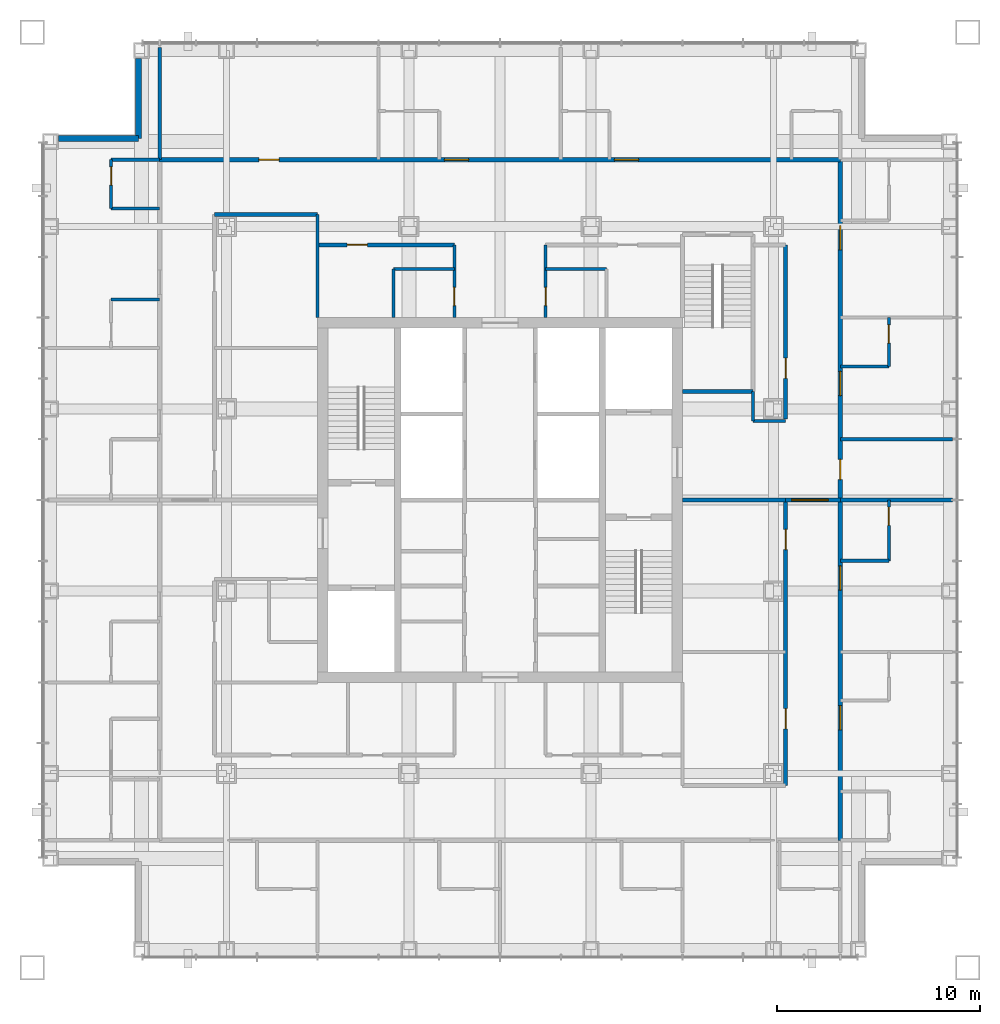
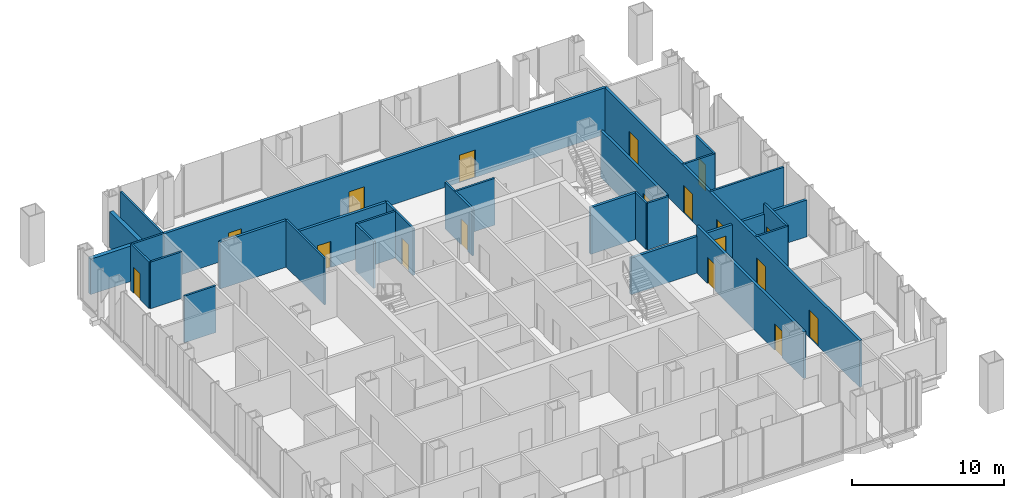
# One storey, part 10 of 12: 30 walls, 18 doors, 18 openings.
"""IFC4 building model written with IfcOpenShell, lengths in metres."""

import ifcopenshell
import ifcopenshell.guid

model = None  # the IFC model being written
_history = None  # IfcOwnerHistory: only IFC2X3 demands one
_inside = {}  # id of a spatial element -> (the spatial element, [elements in it])
_under = {}  # id of a project, library or spatial element -> (it, [spatial elements below it])
_declared = {}  # id of a project -> (the project, [libraries it declares])
_typed = {}  # id of a type object -> (the type object, [elements of that type])
_made_of = {}  # id of a material, layer set ... -> (it, [elements and type objects made of it])


def new_model(schema):
    """Start an empty IFC model of exactly this schema.

    Asked for "IFC4X3", IfcOpenShell would pick the latest addendum, in which some entities
    have other attributes; the version numbers below select the first issue.
    IFC2X3 requires an IfcOwnerHistory on every rooted entity: one is made here for all.
    """
    global model, _history
    if schema == "IFC4X3":
        model = ifcopenshell.file(schema_version=(4, 3, 0, 0))
    else:
        model = ifcopenshell.file(schema=schema)
    _inside.clear()
    _under.clear()
    _declared.clear()
    _typed.clear()
    _made_of.clear()
    _history = None
    if model.schema == "IFC2X3":
        org = make("IfcOrganization", Name="unknown")
        user = make(
            "IfcPersonAndOrganization",
            ThePerson=make("IfcPerson", FamilyName="unknown"),
            TheOrganization=org,
        )
        app = make(
            "IfcApplication",
            ApplicationDeveloper=org,
            Version="unknown",
            ApplicationFullName="unknown",
            ApplicationIdentifier="unknown",
        )
        _history = make(
            "IfcOwnerHistory",
            OwningUser=user,
            OwningApplication=app,
            ChangeAction="ADDED",
            CreationDate=0,
        )
    return model


def make(cls, **values):
    """One entity of the class cls with the attributes given. An attribute that is None is left unset."""
    return model.create_entity(
        cls, **{name: value for name, value in values.items() if value is not None}
    )


def rooted(cls, **values):
    """An entity with a GlobalId (a new one), such as an element, a storey or a relation."""
    return make(cls, GlobalId=ifcopenshell.guid.new(), OwnerHistory=_history, **values)


def si_unit(unit_type, name, prefix=None):
    """IfcSIUnit, for example si_unit("LENGTHUNIT", "METRE", prefix="MILLI")."""
    return make("IfcSIUnit", UnitType=unit_type, Prefix=prefix, Name=name)


def assignment(units):
    """IfcUnitAssignment: the units of a project."""
    return None if units is None else make("IfcUnitAssignment", Units=units)


def point(xyz):
    """IfcCartesianPoint."""
    return None if xyz is None else make("IfcCartesianPoint", Coordinates=xyz)


def direction(xyz):
    """IfcDirection."""
    return None if xyz is None else make("IfcDirection", DirectionRatios=xyz)


def frame(location, z_axis=None, x_axis=None):
    """IfcAxis2Placement3D, a coordinate frame: its origin and axes. An axis left out is left unset."""
    return make(
        "IfcAxis2Placement3D",
        Location=point(location),
        Axis=direction(z_axis),
        RefDirection=direction(x_axis),
    )


def frame_2d(location, x_axis=None):
    """IfcAxis2Placement2D, a coordinate frame in the plane: its origin and x axis."""
    return make(
        "IfcAxis2Placement2D", Location=point(location), RefDirection=direction(x_axis)
    )


def origin():
    """The frame at (0, 0, 0) with its axes left unset."""
    return frame((0.0, 0.0, 0.0))


def place(relative_to, where):
    """IfcLocalPlacement: puts the frame where relative to a parent placement (None: the world)."""
    return make(
        "IfcLocalPlacement", PlacementRelTo=relative_to, RelativePlacement=where
    )


def context(
    kind, dimensions, precision=None, world=None, true_north=None, identifier=None
):
    """IfcGeometricRepresentationContext, for example the 3D "Model" context."""
    return make(
        "IfcGeometricRepresentationContext",
        ContextIdentifier=identifier,
        ContextType=kind,
        CoordinateSpaceDimension=dimensions,
        Precision=precision,
        WorldCoordinateSystem=world,
        TrueNorth=true_north,
    )


def subcontext(parent, identifier, kind, view, scale=None):
    """IfcGeometricRepresentationSubContext, for example "Body" below "Model"."""
    return make(
        "IfcGeometricRepresentationSubContext",
        ContextIdentifier=identifier,
        ContextType=kind,
        ParentContext=parent,
        TargetScale=scale,
        TargetView=view,
    )


def project(units=None, contexts=None):
    """IfcProject with its units and contexts."""
    return rooted(
        "IfcProject",
        Name="project",
        RepresentationContexts=contexts,
        UnitsInContext=assignment(units),
    )


def spatial(cls, under=None, at=None, **own):
    """A site, building, storey or space (cls), placed at a placement, below another one or the project."""
    s = rooted(cls, ObjectPlacement=at, **own)
    if under is not None:
        _under.setdefault(under.id(), (under, []))[1].append(s)
    return s


def profile(cls, at=None, kind="AREA", **sizes):
    """A parametric profile (cls). Its sizes go by their IFC names, for example OverallWidth=200.0."""
    return make(cls, ProfileType=kind, Position=at, **sizes)


def rectangle(**sizes):
    """IfcRectangleProfileDef."""
    return profile("IfcRectangleProfileDef", **sizes)


def extrude(swept, where, along, depth):
    """IfcExtrudedAreaSolid: the profile swept, set in the frame where, extruded along a direction by depth."""
    return make(
        "IfcExtrudedAreaSolid",
        SweptArea=swept,
        Position=where,
        ExtrudedDirection=direction(along),
        Depth=depth,
    )


def shape(context_of_items, identifier, shape_type, items):
    """IfcShapeRepresentation: the items that make up one representation, for example the "Body"."""
    return make(
        "IfcShapeRepresentation",
        ContextOfItems=context_of_items,
        RepresentationIdentifier=identifier,
        RepresentationType=shape_type,
        Items=items,
    )


def material(Name=None, Category=None):
    """IfcMaterial."""
    return make("IfcMaterial", Name=Name, Category=Category)


def layer(
    of_material, thickness, ventilated=None, Name=None, Category=None, Priority=None
):
    """IfcMaterialLayer: one layer of a wall or slab, of a material (None: an air gap)."""
    return make(
        "IfcMaterialLayer",
        Material=of_material,
        LayerThickness=thickness,
        IsVentilated=ventilated,
        Name=Name,
        Category=Category,
        Priority=Priority,
    )


def layer_set(layers, Name=None):
    """IfcMaterialLayerSet."""
    return make("IfcMaterialLayerSet", MaterialLayers=layers, LayerSetName=Name)


def made_of(thing, what):
    """Note that an element or type object is made of a material, layer set ...; save() writes the relation."""
    if what is not None:
        _made_of.setdefault(what.id(), (what, []))[1].append(thing)
    return thing


def type_object(cls, material=None, **own):
    """A type object (cls), such as IfcWallType, which elements share."""
    return made_of(rooted(cls, **own), material)


def element(
    cls,
    number,
    at=None,
    inside=None,
    cuts=None,
    type_object=None,
    material=None,
    context=None,
    identifier="Body",
    shape_type=None,
    held_by="IfcProductDefinitionShape",
    body=None,
    shapes=None,
    **own,
):
    """One element of the class cls, such as IfcWall. Its Tag is "e" and its number.

    at: its placement. inside: the storey or other place that contains it. cuts: it is an
    opening in that element (IfcRelVoidsElement). A single representation is given by context,
    identifier, shape_type and body (its items); several are given by shapes. held_by: the class
    of the entity that holds the representations. save() writes the other relations.
    """
    e = rooted(cls, Tag="e%d" % number, ObjectPlacement=at, **own)
    if body is not None:
        shapes = [shape(context, identifier, shape_type, body)]
    if shapes is not None:
        e.Representation = make(held_by, Representations=shapes)
    if inside is not None:
        _inside.setdefault(inside.id(), (inside, []))[1].append(e)
    if cuts is not None:
        rooted(
            "IfcRelVoidsElement", RelatingBuildingElement=cuts, RelatedOpeningElement=e
        )
    if type_object is not None:
        _typed.setdefault(type_object.id(), (type_object, []))[1].append(e)
    return made_of(e, material)


def fill(opening, filler):
    """IfcRelFillsElement: the door or window that sits in an opening."""
    return rooted(
        "IfcRelFillsElement",
        RelatingOpeningElement=opening,
        RelatedBuildingElement=filler,
    )


def aggregate(whole, parts):
    """IfcRelAggregates: a whole, such as a stair, and the parts it consists of."""
    return rooted("IfcRelAggregates", RelatingObject=whole, RelatedObjects=parts)


def save(model, path):
    """Write the relations noted so far, then the file.

    IfcRelAggregates (storeys below a building ...), IfcRelContainedInSpatialStructure (elements
    in a storey), IfcRelDefinesByType, IfcRelAssociatesMaterial and IfcRelDeclares: one each for
    every whole, place, type object, material and project.
    """
    for whole, parts in _under.values():
        aggregate(whole, parts)
    for where, things in _inside.values():
        rooted(
            "IfcRelContainedInSpatialStructure",
            RelatedElements=things,
            RelatingStructure=where,
        )
    for kind, things in _typed.values():
        rooted("IfcRelDefinesByType", RelatedObjects=things, RelatingType=kind)
    for what, things in _made_of.values():
        rooted("IfcRelAssociatesMaterial", RelatedObjects=things, RelatingMaterial=what)
    for by, libraries in _declared.values():
        rooted("IfcRelDeclares", RelatingContext=by, RelatedDefinitions=libraries)
    model.write(path)


model = new_model("IFC4")

# Units and contexts
model_context = context("Model", 3, precision=1e-05, world=origin(), true_north=direction((0.0, 1.0)))
body_context = subcontext(model_context, "Body", "Model", "MODEL_VIEW")
ifc_project = project(units=[si_unit("LENGTHUNIT", "METRE"), si_unit("AREAUNIT", "SQUARE_METRE"), si_unit("VOLUMEUNIT", "CUBIC_METRE"), si_unit("PLANEANGLEUNIT", "RADIAN"), si_unit("MASSUNIT", "GRAM", prefix="KILO")], contexts=[model_context])

# Site, building, storey
site_placement = place(None, origin())
site = spatial("IfcSite", under=ifc_project, at=site_placement, CompositionType="ELEMENT")
building_placement = place(site_placement, origin())
building = spatial("IfcBuilding", under=site, at=building_placement, Name="Malebo Sky Hospital", CompositionType="ELEMENT")
storey_placement = place(building_placement, frame((0.0, 0.0, 221.0)))
storey = spatial("IfcBuildingStorey", under=building, at=storey_placement, Name="L53", CompositionType="ELEMENT", Elevation=221.0)

# Wall, openings, doors
ifc_material_1 = material(Name="Gypsum board on steel studs", Category="steel")
ifc_layer_1 = layer(ifc_material_1, 0.199951171875)
ifc_layer_set_1 = layer_set([ifc_layer_1], Name="CORRIDOR WALL 200")
wall_type_1 = type_object("IfcWallType", Name="CORRIDOR WALL 200", PredefinedType="PARTITIONING", material=ifc_layer_set_1)
wall_1_placement = place(storey_placement, frame((43.199951171875, 78.800048828125, 0.0), z_axis=(0.0, 0.0, 1.0), x_axis=(1.0, 0.0, 0.0)))
wall_1 = element("IfcWall", 1, at=wall_1_placement, inside=storey, type_object=wall_type_1, Name="Corridor Wall 200 NCO", PredefinedType="PARTITIONING", context=body_context, shape_type="SweptSolid", body=[
    extrude(rectangle(XDim=33.60009765625, YDim=0.199951171875, at=frame_2d((16.800048828125, 0.0))), origin(), (0.0, 0.0, 1.0), 3.75),
])
opening_1_placement = place(wall_1_placement, frame((4.89990234375, 0.0, 0.0)))
opening_1 = element("IfcOpeningElement", 2, at=opening_1_placement, cuts=wall_1, Name="Opening D03", PredefinedType="OPENING", context=body_context, shape_type="SweptSolid", body=[
    extrude(rectangle(XDim=1.0, YDim=2.10009765625, at=frame_2d((0.5, 1.050048828125))), frame((0.0, 0.10986328125, 0.0), z_axis=(0.0, -1.0, 0.0), x_axis=(1.0, 0.0, 0.0)), (0.0, 0.0, 1.0), 0.219970703125),
])
opening_2_placement = place(wall_1_placement, frame((14.050048828125, 0.0, 0.0)))
opening_2 = element("IfcOpeningElement", 3, at=opening_2_placement, cuts=wall_1, Name="Opening D01", PredefinedType="OPENING", context=body_context, shape_type="SweptSolid", body=[
    extrude(rectangle(XDim=1.199951171875, YDim=2.199951171875, at=frame_2d((0.60009765625, 1.10009765625))), frame((0.0, 0.10986328125, 0.0), z_axis=(0.0, -1.0, 0.0), x_axis=(1.0, 0.0, 0.0)), (0.0, 0.0, 1.0), 0.219970703125),
])
opening_3_placement = place(wall_1_placement, frame((22.449951171875, 0.0, 0.0)))
opening_3 = element("IfcOpeningElement", 4, at=opening_3_placement, cuts=wall_1, Name="Opening D01", PredefinedType="OPENING", context=body_context, shape_type="SweptSolid", body=[
    extrude(rectangle(XDim=1.199951171875, YDim=2.199951171875, at=frame_2d((0.60009765625, 1.10009765625))), frame((0.0, 0.10986328125, 0.0), z_axis=(0.0, -1.0, 0.0), x_axis=(1.0, 0.0, 0.0)), (0.0, 0.0, 1.0), 0.219970703125),
])
ifc_material_2 = material(Name="Hardwood-faced door leaf in steel frame", Category="steel")
door_type_1 = type_object("IfcDoorType", Name="BED DOOR 1200", OperationType="SINGLE_SWING_LEFT", PredefinedType="DOOR", material=ifc_material_2)
door_1_placement = place(opening_2_placement, origin())
door_1 = element("IfcDoor", 5, at=door_1_placement, inside=storey, type_object=door_type_1, Name="Two-bed room door", OperationType="SINGLE_SWING_LEFT", OverallHeight=2.199951171875, OverallWidth=1.199951171875, PredefinedType="DOOR", context=body_context, shape_type="SweptSolid", body=[
    extrude(rectangle(XDim=1.199951171875, YDim=2.199951171875, at=frame_2d((0.60009765625, 1.10009765625))), frame((0.0, 0.02490234375, 0.0), z_axis=(0.0, -1.0, 0.0), x_axis=(1.0, 0.0, 0.0)), (0.0, 0.0, 1.0), 0.050048828125),
])
fill(opening_2, door_1)
door_2_placement = place(opening_3_placement, origin())
door_2 = element("IfcDoor", 6, at=door_2_placement, inside=storey, type_object=door_type_1, Name="Four-bed bay door", OperationType="SINGLE_SWING_LEFT", OverallHeight=2.199951171875, OverallWidth=1.199951171875, PredefinedType="DOOR", context=body_context, shape_type="SweptSolid", body=[
    extrude(rectangle(XDim=1.199951171875, YDim=2.199951171875, at=frame_2d((0.60009765625, 1.10009765625))), frame((0.0, 0.02490234375, 0.0), z_axis=(0.0, -1.0, 0.0), x_axis=(1.0, 0.0, 0.0)), (0.0, 0.0, 1.0), 0.050048828125),
])
fill(opening_3, door_2)
door_type_2 = type_object("IfcDoorType", Name="ROOM DOOR 1000", OperationType="SINGLE_SWING_LEFT", PredefinedType="DOOR", material=ifc_material_2)
door_3_placement = place(opening_1_placement, origin())
door_3 = element("IfcDoor", 7, at=door_3_placement, inside=storey, type_object=door_type_2, Name="Play room door", OperationType="SINGLE_SWING_LEFT", OverallHeight=2.10009765625, OverallWidth=1.0, PredefinedType="DOOR", context=body_context, shape_type="SweptSolid", body=[
    extrude(rectangle(XDim=1.0, YDim=2.10009765625, at=frame_2d((0.5, 1.050048828125))), frame((0.0, 0.02490234375, 0.0), z_axis=(0.0, -1.0, 0.0), x_axis=(1.0, 0.0, 0.0)), (0.0, 0.0, 1.0), 0.050048828125),
])
fill(opening_1, door_3)

# Wall
wall_2_placement = place(storey_placement, frame((45.89990234375, 76.10009765625, 0.0), z_axis=(0.0, 0.0, 1.0), x_axis=(1.0, 0.0, 0.0)))
element("IfcWall", 8, at=wall_2_placement, inside=storey, type_object=wall_type_1, Name="Corridor Wall 200 NCIK", PredefinedType="PARTITIONING", context=body_context, shape_type="SweptSolid", body=[
    extrude(rectangle(XDim=5.10009765625, YDim=0.199951171875, at=frame_2d((2.550048828125, 0.0))), origin(), (0.0, 0.0, 1.0), 3.75),
])

# Wall, opening, door
wall_3_placement = place(storey_placement, frame((51.0, 74.60009765625, 0.0), z_axis=(0.0, 0.0, 1.0), x_axis=(1.0, 0.0, 0.0)))
wall_3 = element("IfcWall", 9, at=wall_3_placement, inside=storey, type_object=wall_type_1, Name="Corridor Wall 200 NCI1", PredefinedType="PARTITIONING", context=body_context, shape_type="SweptSolid", body=[
    extrude(rectangle(XDim=6.75, YDim=0.199951171875, at=frame_2d((3.375, 0.0))), origin(), (0.0, 0.0, 1.0), 3.75),
])
opening_4_placement = place(wall_3_placement, frame((1.449951171875, 0.0, 0.0)))
opening_4 = element("IfcOpeningElement", 10, at=opening_4_placement, cuts=wall_3, Name="Opening D03", PredefinedType="OPENING", context=body_context, shape_type="SweptSolid", body=[
    extrude(rectangle(XDim=1.0, YDim=2.10009765625, at=frame_2d((0.5, 1.050048828125))), frame((0.0, 0.10986328125, 0.0), z_axis=(0.0, -1.0, 0.0), x_axis=(1.0, 0.0, 0.0)), (0.0, 0.0, 1.0), 0.219970703125),
])
door_4_placement = place(opening_4_placement, origin())
door_4 = element("IfcDoor", 11, at=door_4_placement, inside=storey, type_object=door_type_2, Name="Sensory room door", OperationType="SINGLE_SWING_LEFT", OverallHeight=2.10009765625, OverallWidth=1.0, PredefinedType="DOOR", context=body_context, shape_type="SweptSolid", body=[
    extrude(rectangle(XDim=1.0, YDim=2.10009765625, at=frame_2d((0.5, 1.050048828125))), frame((0.0, 0.02490234375, 0.0), z_axis=(0.0, -1.0, 0.0), x_axis=(1.0, 0.0, 0.0)), (0.0, 0.0, 1.0), 0.050048828125),
])
fill(opening_4, door_4)

# Wall, openings, doors
wall_4_placement = place(storey_placement, frame((76.800048828125, 78.800048828125, 0.0), z_axis=(0.0, 0.0, 1.0), x_axis=(0.0, -1.0, 0.0)))
wall_4 = element("IfcWall", 12, at=wall_4_placement, inside=storey, type_object=wall_type_1, Name="Corridor Wall 200 ECO", PredefinedType="PARTITIONING", context=body_context, shape_type="SweptSolid", body=[
    extrude(rectangle(XDim=33.60009765625, YDim=0.199951171875, at=frame_2d((16.800048828125, 0.0))), origin(), (0.0, 0.0, 1.0), 3.75),
])
opening_5_placement = place(wall_4_placement, frame((3.25, 0.0, 0.0)))
opening_5 = element("IfcOpeningElement", 13, at=opening_5_placement, cuts=wall_4, Name="Opening D01", PredefinedType="OPENING", context=body_context, shape_type="SweptSolid", body=[
    extrude(rectangle(XDim=1.199951171875, YDim=2.199951171875, at=frame_2d((0.60009765625, 1.10009765625))), frame((0.0, 0.10986328125, 0.0), z_axis=(0.0, -1.0, 0.0), x_axis=(1.0, 0.0, 0.0)), (0.0, 0.0, 1.0), 0.219970703125),
])
opening_6_placement = place(wall_4_placement, frame((10.449951171875, 0.0, 0.0)))
opening_6 = element("IfcOpeningElement", 14, at=opening_6_placement, cuts=wall_4, Name="Opening D01", PredefinedType="OPENING", context=body_context, shape_type="SweptSolid", body=[
    extrude(rectangle(XDim=1.199951171875, YDim=2.199951171875, at=frame_2d((0.60009765625, 1.10009765625))), frame((0.0, 0.10986328125, 0.0), z_axis=(0.0, -1.0, 0.0), x_axis=(1.0, 0.0, 0.0)), (0.0, 0.0, 1.0), 0.219970703125),
])
opening_7_placement = place(wall_4_placement, frame((14.800048828125, 0.0, 0.0)))
opening_7 = element("IfcOpeningElement", 15, at=opening_7_placement, cuts=wall_4, Name="Opening D03", PredefinedType="OPENING", context=body_context, shape_type="SweptSolid", body=[
    extrude(rectangle(XDim=1.0, YDim=2.10009765625, at=frame_2d((0.5, 1.050048828125))), frame((0.0, 0.10986328125, 0.0), z_axis=(0.0, -1.0, 0.0), x_axis=(1.0, 0.0, 0.0)), (0.0, 0.0, 1.0), 0.219970703125),
])
opening_8_placement = place(wall_4_placement, frame((20.050048828125, 0.0, 0.0)))
opening_8 = element("IfcOpeningElement", 16, at=opening_8_placement, cuts=wall_4, Name="Opening D01", PredefinedType="OPENING", context=body_context, shape_type="SweptSolid", body=[
    extrude(rectangle(XDim=1.199951171875, YDim=2.199951171875, at=frame_2d((0.60009765625, 1.10009765625))), frame((0.0, 0.10986328125, 0.0), z_axis=(0.0, -1.0, 0.0), x_axis=(1.0, 0.0, 0.0)), (0.0, 0.0, 1.0), 0.219970703125),
])
opening_9_placement = place(wall_4_placement, frame((26.949951171875, 0.0, 0.0)))
opening_9 = element("IfcOpeningElement", 17, at=opening_9_placement, cuts=wall_4, Name="Opening D01", PredefinedType="OPENING", context=body_context, shape_type="SweptSolid", body=[
    extrude(rectangle(XDim=1.199951171875, YDim=2.199951171875, at=frame_2d((0.60009765625, 1.10009765625))), frame((0.0, 0.10986328125, 0.0), z_axis=(0.0, -1.0, 0.0), x_axis=(1.0, 0.0, 0.0)), (0.0, 0.0, 1.0), 0.219970703125),
])
door_5_placement = place(opening_5_placement, origin())
door_5 = element("IfcDoor", 18, at=door_5_placement, inside=storey, type_object=door_type_1, Name="Two-bed room door", OperationType="SINGLE_SWING_LEFT", OverallHeight=2.199951171875, OverallWidth=1.199951171875, PredefinedType="DOOR", context=body_context, shape_type="SweptSolid", body=[
    extrude(rectangle(XDim=1.199951171875, YDim=2.199951171875, at=frame_2d((0.60009765625, 1.10009765625))), frame((0.0, 0.02490234375, 0.0), z_axis=(0.0, -1.0, 0.0), x_axis=(1.0, 0.0, 0.0)), (0.0, 0.0, 1.0), 0.050048828125),
])
fill(opening_5, door_5)
door_6_placement = place(opening_6_placement, origin())
door_6 = element("IfcDoor", 19, at=door_6_placement, inside=storey, type_object=door_type_1, Name="Parent room door", OperationType="SINGLE_SWING_LEFT", OverallHeight=2.199951171875, OverallWidth=1.199951171875, PredefinedType="DOOR", context=body_context, shape_type="SweptSolid", body=[
    extrude(rectangle(XDim=1.199951171875, YDim=2.199951171875, at=frame_2d((0.60009765625, 1.10009765625))), frame((0.0, 0.02490234375, 0.0), z_axis=(0.0, -1.0, 0.0), x_axis=(1.0, 0.0, 0.0)), (0.0, 0.0, 1.0), 0.050048828125),
])
fill(opening_6, door_6)
door_7_placement = place(opening_8_placement, origin())
door_7 = element("IfcDoor", 20, at=door_7_placement, inside=storey, type_object=door_type_1, Name="Two-bed room door", OperationType="SINGLE_SWING_LEFT", OverallHeight=2.199951171875, OverallWidth=1.199951171875, PredefinedType="DOOR", context=body_context, shape_type="SweptSolid", body=[
    extrude(rectangle(XDim=1.199951171875, YDim=2.199951171875, at=frame_2d((0.60009765625, 1.10009765625))), frame((0.0, 0.02490234375, 0.0), z_axis=(0.0, -1.0, 0.0), x_axis=(1.0, 0.0, 0.0)), (0.0, 0.0, 1.0), 0.050048828125),
])
fill(opening_8, door_7)
door_8_placement = place(opening_9_placement, origin())
door_8 = element("IfcDoor", 21, at=door_8_placement, inside=storey, type_object=door_type_1, Name="Four-bed bay door", OperationType="SINGLE_SWING_LEFT", OverallHeight=2.199951171875, OverallWidth=1.199951171875, PredefinedType="DOOR", context=body_context, shape_type="SweptSolid", body=[
    extrude(rectangle(XDim=1.199951171875, YDim=2.199951171875, at=frame_2d((0.60009765625, 1.10009765625))), frame((0.0, 0.02490234375, 0.0), z_axis=(0.0, -1.0, 0.0), x_axis=(1.0, 0.0, 0.0)), (0.0, 0.0, 1.0), 0.050048828125),
])
fill(opening_9, door_8)
door_9_placement = place(opening_7_placement, origin())
door_9 = element("IfcDoor", 22, at=door_9_placement, inside=storey, type_object=door_type_2, Name="Play therapy room door", OperationType="SINGLE_SWING_RIGHT", OverallHeight=2.10009765625, OverallWidth=1.0, PredefinedType="DOOR", context=body_context, shape_type="SweptSolid", body=[
    extrude(rectangle(XDim=1.0, YDim=2.10009765625, at=frame_2d((0.5, 1.050048828125))), frame((0.0, 0.02490234375, 0.0), z_axis=(0.0, -1.0, 0.0), x_axis=(1.0, 0.0, 0.0)), (0.0, 0.0, 1.0), 0.050048828125),
])
fill(opening_7, door_9)

# Wall, opening, door
wall_5_placement = place(storey_placement, frame((74.10009765625, 74.60009765625, 0.0), z_axis=(0.0, 0.0, 1.0), x_axis=(0.0, -1.0, 0.0)))
wall_5 = element("IfcWall", 23, at=wall_5_placement, inside=storey, type_object=wall_type_1, Name="Corridor Wall 200 ECI1", PredefinedType="PARTITIONING", context=body_context, shape_type="SweptSolid", body=[
    extrude(rectangle(XDim=8.60009765625, YDim=0.199951171875, at=frame_2d((4.300048828125, 0.0))), origin(), (0.0, 0.0, 1.0), 3.75),
])
opening_10_placement = place(wall_5_placement, frame((5.60009765625, 0.0, 0.0)))
opening_10 = element("IfcOpeningElement", 24, at=opening_10_placement, cuts=wall_5, Name="Opening D03", PredefinedType="OPENING", context=body_context, shape_type="SweptSolid", body=[
    extrude(rectangle(XDim=1.0, YDim=2.10009765625, at=frame_2d((0.5, 1.050048828125))), frame((0.0, 0.10986328125, 0.0), z_axis=(0.0, -1.0, 0.0), x_axis=(1.0, 0.0, 0.0)), (0.0, 0.0, 1.0), 0.219970703125),
])
door_10_placement = place(opening_10_placement, origin())
door_10 = element("IfcDoor", 25, at=door_10_placement, inside=storey, type_object=door_type_2, Name="Dirty utility room door", OperationType="SINGLE_SWING_RIGHT", OverallHeight=2.10009765625, OverallWidth=1.0, PredefinedType="DOOR", context=body_context, shape_type="SweptSolid", body=[
    extrude(rectangle(XDim=1.0, YDim=2.10009765625, at=frame_2d((0.5, 1.050048828125))), frame((0.0, 0.02490234375, 0.0), z_axis=(0.0, -1.0, 0.0), x_axis=(1.0, 0.0, 0.0)), (0.0, 0.0, 1.0), 0.050048828125),
])
fill(opening_10, door_10)

# Wall, openings, doors
wall_6_placement = place(storey_placement, frame((74.10009765625, 62.0, 0.0), z_axis=(0.0, 0.0, 1.0), x_axis=(0.0, -1.0, 0.0)))
wall_6 = element("IfcWall", 26, at=wall_6_placement, inside=storey, type_object=wall_type_1, Name="Corridor Wall 200 ECI2", PredefinedType="PARTITIONING", context=body_context, shape_type="SweptSolid", body=[
    extrude(rectangle(XDim=14.10009765625, YDim=0.199951171875, at=frame_2d((7.050048828125, 0.0))), origin(), (0.0, 0.0, 1.0), 3.75),
])
opening_11_placement = place(wall_6_placement, frame((1.449951171875, 0.0, 0.0)))
opening_11 = element("IfcOpeningElement", 27, at=opening_11_placement, cuts=wall_6, Name="Opening D03", PredefinedType="OPENING", context=body_context, shape_type="SweptSolid", body=[
    extrude(rectangle(XDim=1.0, YDim=2.10009765625, at=frame_2d((0.5, 1.050048828125))), frame((0.0, 0.10986328125, 0.0), z_axis=(0.0, -1.0, 0.0), x_axis=(1.0, 0.0, 0.0)), (0.0, 0.0, 1.0), 0.219970703125),
])
opening_12_placement = place(wall_6_placement, frame((10.300048828125, 0.0, 0.0)))
opening_12 = element("IfcOpeningElement", 28, at=opening_12_placement, cuts=wall_6, Name="Opening D03", PredefinedType="OPENING", context=body_context, shape_type="SweptSolid", body=[
    extrude(rectangle(XDim=1.0, YDim=2.10009765625, at=frame_2d((0.5, 1.050048828125))), frame((0.0, 0.10986328125, 0.0), z_axis=(0.0, -1.0, 0.0), x_axis=(1.0, 0.0, 0.0)), (0.0, 0.0, 1.0), 0.219970703125),
])
door_11_placement = place(opening_11_placement, origin())
door_11 = element("IfcDoor", 29, at=door_11_placement, inside=storey, type_object=door_type_2, Name="Staff rest room door", OperationType="SINGLE_SWING_LEFT", OverallHeight=2.10009765625, OverallWidth=1.0, PredefinedType="DOOR", context=body_context, shape_type="SweptSolid", body=[
    extrude(rectangle(XDim=1.0, YDim=2.10009765625, at=frame_2d((0.5, 1.050048828125))), frame((0.0, 0.02490234375, 0.0), z_axis=(0.0, -1.0, 0.0), x_axis=(1.0, 0.0, 0.0)), (0.0, 0.0, 1.0), 0.050048828125),
])
fill(opening_11, door_11)
door_12_placement = place(opening_12_placement, origin())
door_12 = element("IfcDoor", 30, at=door_12_placement, inside=storey, type_object=door_type_2, Name="Staff base door", OperationType="SINGLE_SWING_RIGHT", OverallHeight=2.10009765625, OverallWidth=1.0, PredefinedType="DOOR", context=body_context, shape_type="SweptSolid", body=[
    extrude(rectangle(XDim=1.0, YDim=2.10009765625, at=frame_2d((0.5, 1.050048828125))), frame((0.0, 0.02490234375, 0.0), z_axis=(0.0, -1.0, 0.0), x_axis=(1.0, 0.0, 0.0)), (0.0, 0.0, 1.0), 0.050048828125),
])
fill(opening_12, door_12)

# Walls
ifc_material_3 = material(Name="Anodised aluminium rainscreen on steel framing", Category="steel")
ifc_layer_2 = layer(ifc_material_3, 0.300048828125)
ifc_layer_set_2 = layer_set([ifc_layer_2], Name="NOTCH RAINSCREEN WALL 300")
wall_type_2 = type_object("IfcWallType", Name="NOTCH RAINSCREEN WALL 300", PredefinedType="ELEMENTEDWALL", material=ifc_layer_set_2)
for number, where, z_axis, x_axis, name in (
    (31, (38.199951171875, 79.85009765625, 0.0), (0.0, 0.0, 1.0), (1.0, 0.0, 0.0), "Notch rainscreen wall W1 L53"),
    (32, (42.14990234375, 79.85009765625, 0.0), (0.0, 0.0, 1.0), (0.0, 1.0, 0.0), "Notch rainscreen wall W2 L53"),
):
    element("IfcWall", number, at=place(storey_placement, frame(where, z_axis=z_axis, x_axis=x_axis)), inside=storey, type_object=wall_type_2, Name=name, PredefinedType="ELEMENTEDWALL", context=body_context, shape_type="SweptSolid", body=[
        extrude(rectangle(XDim=3.949951171875, YDim=0.300048828125, at=frame_2d((1.97509765625, 0.0))), origin(), (0.0, 0.0, 1.0), 2.85009765625),
    ])
ifc_layer_3 = layer(ifc_material_1, 0.14990234375)
ifc_layer_set_3 = layer_set([ifc_layer_3], Name="PARTITION 150")
wall_type_3 = type_object("IfcWallType", Name="PARTITION 150", PredefinedType="PARTITIONING", material=ifc_layer_set_3)
wall_7_placement = place(storey_placement, frame((43.199951171875, 78.800048828125, 0.0), z_axis=(0.0, 0.0, 1.0), x_axis=(0.0, 1.0, 0.0)))
element("IfcWall", 33, at=wall_7_placement, inside=storey, type_object=wall_type_3, Name="Partition 150 NP0", PredefinedType="PARTITIONING", context=body_context, shape_type="SweptSolid", body=[
    extrude(rectangle(XDim=5.550048828125, YDim=0.14990234375, at=frame_2d((2.77490234375, 0.0))), origin(), (0.0, 0.0, 1.0), 3.75),
])
wall_8_placement = place(storey_placement, frame((51.0, 71.0, 0.0), z_axis=(0.0, 0.0, 1.0), x_axis=(0.0, 1.0, 0.0)))
element("IfcWall", 34, at=wall_8_placement, inside=storey, type_object=wall_type_3, Name="Partition 150 NSP0", PredefinedType="PARTITIONING", context=body_context, shape_type="SweptSolid", body=[
    extrude(rectangle(XDim=5.10009765625, YDim=0.14990234375, at=frame_2d((2.550048828125, 0.0))), origin(), (0.0, 0.0, 1.0), 3.75),
])

# Wall, opening, door
wall_9_placement = place(storey_placement, frame((57.75, 71.0, 0.0), z_axis=(0.0, 0.0, 1.0), x_axis=(0.0, 1.0, 0.0)))
wall_9 = element("IfcWall", 35, at=wall_9_placement, inside=storey, type_object=wall_type_3, Name="Partition 150 NSPA", PredefinedType="PARTITIONING", context=body_context, shape_type="SweptSolid", body=[
    extrude(rectangle(XDim=3.60009765625, YDim=0.14990234375, at=frame_2d((1.800048828125, 0.0))), origin(), (0.0, 0.0, 1.0), 3.75),
])
opening_13_placement = place(wall_9_placement, frame((0.60009765625, 0.0, 0.0)))
opening_13 = element("IfcOpeningElement", 36, at=opening_13_placement, cuts=wall_9, Name="Opening D04", PredefinedType="OPENING", context=body_context, shape_type="SweptSolid", body=[
    extrude(rectangle(XDim=0.89990234375, YDim=2.10009765625, at=frame_2d((0.449951171875, 1.050048828125))), frame((0.0, 0.0849609375, 0.0), z_axis=(0.0, -1.0, 0.0), x_axis=(1.0, 0.0, 0.0)), (0.0, 0.0, 1.0), 0.169921875),
])
door_type_3 = type_object("IfcDoorType", Name="ROOM DOOR 900", OperationType="SINGLE_SWING_LEFT", PredefinedType="DOOR", material=ifc_material_2)
door_13_placement = place(opening_13_placement, origin())
door_13 = element("IfcDoor", 37, at=door_13_placement, inside=storey, type_object=door_type_3, Name="Staff WC door", OperationType="SINGLE_SWING_LEFT", OverallHeight=2.10009765625, OverallWidth=0.89990234375, PredefinedType="DOOR", context=body_context, shape_type="SweptSolid", body=[
    extrude(rectangle(XDim=0.89990234375, YDim=2.10009765625, at=frame_2d((0.449951171875, 1.050048828125))), frame((0.0, 0.02490234375, 0.0), z_axis=(0.0, -1.0, 0.0), x_axis=(1.0, 0.0, 0.0)), (0.0, 0.0, 1.0), 0.050048828125),
])
fill(opening_13, door_13)

wall_10_placement = place(storey_placement, frame((62.25, 71.0, 0.0), z_axis=(0.0, 0.0, 1.0), x_axis=(0.0, 1.0, 0.0)))
wall_10 = element("IfcWall", 38, at=wall_10_placement, inside=storey, type_object=wall_type_3, Name="Partition 150 NSPB", PredefinedType="PARTITIONING", context=body_context, shape_type="SweptSolid", body=[
    extrude(rectangle(XDim=3.60009765625, YDim=0.14990234375, at=frame_2d((1.800048828125, 0.0))), origin(), (0.0, 0.0, 1.0), 3.75),
])
opening_14_placement = place(wall_10_placement, frame((0.60009765625, 0.0, 0.0)))
opening_14 = element("IfcOpeningElement", 39, at=opening_14_placement, cuts=wall_10, Name="Opening D04", PredefinedType="OPENING", context=body_context, shape_type="SweptSolid", body=[
    extrude(rectangle(XDim=0.89990234375, YDim=2.10009765625, at=frame_2d((0.449951171875, 1.050048828125))), frame((0.0, 0.0849609375, 0.0), z_axis=(0.0, -1.0, 0.0), x_axis=(1.0, 0.0, 0.0)), (0.0, 0.0, 1.0), 0.169921875),
])
door_14_placement = place(opening_14_placement, origin())
door_14 = element("IfcDoor", 40, at=door_14_placement, inside=storey, type_object=door_type_3, Name="Accessible WC door", OperationType="SINGLE_SWING_LEFT", OverallHeight=2.10009765625, OverallWidth=0.89990234375, PredefinedType="DOOR", context=body_context, shape_type="SweptSolid", body=[
    extrude(rectangle(XDim=0.89990234375, YDim=2.10009765625, at=frame_2d((0.449951171875, 1.050048828125))), frame((0.0, 0.02490234375, 0.0), z_axis=(0.0, -1.0, 0.0), x_axis=(1.0, 0.0, 0.0)), (0.0, 0.0, 1.0), 0.050048828125),
])
fill(opening_14, door_14)

# Walls
wall_11_placement = place(storey_placement, frame((54.75, 73.39990234375, 0.0), z_axis=(0.0, 0.0, 1.0), x_axis=(1.0, 0.0, 0.0)))
element("IfcWall", 41, at=wall_11_placement, inside=storey, type_object=wall_type_3, Name="Partition 150 NSX0", PredefinedType="PARTITIONING", context=body_context, shape_type="SweptSolid", body=[
    extrude(rectangle(XDim=3.0, YDim=0.14990234375, at=frame_2d((1.5, 0.0))), origin(), (0.0, 0.0, 1.0), 3.75),
])
wall_12_placement = place(storey_placement, frame((54.75, 71.0, 0.0), z_axis=(0.0, 0.0, 1.0), x_axis=(0.0, 1.0, 0.0)))
element("IfcWall", 42, at=wall_12_placement, inside=storey, type_object=wall_type_3, Name="Partition 150 NSY0", PredefinedType="PARTITIONING", context=body_context, shape_type="SweptSolid", body=[
    extrude(rectangle(XDim=2.39990234375, YDim=0.14990234375, at=frame_2d((1.199951171875, 0.0))), origin(), (0.0, 0.0, 1.0), 3.75),
])
wall_13_placement = place(storey_placement, frame((62.25, 73.39990234375, 0.0), z_axis=(0.0, 0.0, 1.0), x_axis=(1.0, 0.0, 0.0)))
element("IfcWall", 43, at=wall_13_placement, inside=storey, type_object=wall_type_3, Name="Partition 150 NSX1", PredefinedType="PARTITIONING", context=body_context, shape_type="SweptSolid", body=[
    extrude(rectangle(XDim=3.0, YDim=0.14990234375, at=frame_2d((1.5, 0.0))), origin(), (0.0, 0.0, 1.0), 3.75),
])
wall_14_placement = place(storey_placement, frame((43.199951171875, 71.89990234375, 0.0), z_axis=(0.0, 0.0, 1.0), x_axis=(-1.0, 0.0, 0.0)))
element("IfcWall", 44, at=wall_14_placement, inside=storey, type_object=wall_type_3, Name="Partition 150 WE3S", PredefinedType="PARTITIONING", context=body_context, shape_type="SweptSolid", body=[
    extrude(rectangle(XDim=2.39990234375, YDim=0.14990234375, at=frame_2d((1.199951171875, 0.0))), origin(), (0.0, 0.0, 1.0), 3.75),
])

# Wall, opening, door
wall_15_placement = place(storey_placement, frame((40.800048828125, 76.39990234375, 0.0), z_axis=(0.0, 0.0, 1.0), x_axis=(0.0, 1.0, 0.0)))
wall_15 = element("IfcWall", 45, at=wall_15_placement, inside=storey, type_object=wall_type_3, Name="Partition 150 WG3F", PredefinedType="PARTITIONING", context=body_context, shape_type="SweptSolid", body=[
    extrude(rectangle(XDim=2.400146484375, YDim=0.14990234375, at=frame_2d((1.2001953125, 0.0))), origin(), (0.0, 0.0, 1.0), 3.75),
])
opening_15_placement = place(wall_15_placement, frame((1.14990234375, 0.0, 0.0)))
opening_15 = element("IfcOpeningElement", 46, at=opening_15_placement, cuts=wall_15, Name="Opening D02", PredefinedType="OPENING", context=body_context, shape_type="SweptSolid", body=[
    extrude(rectangle(XDim=0.89990234375, YDim=2.10009765625, at=frame_2d((0.449951171875, 1.050048828125))), frame((0.0, 0.0849609375, 0.0), z_axis=(0.0, -1.0, 0.0), x_axis=(1.0, 0.0, 0.0)), (0.0, 0.0, 1.0), 0.169921875),
])
door_type_4 = type_object("IfcDoorType", Name="EN-SUITE DOOR 900", OperationType="SINGLE_SWING_LEFT", PredefinedType="DOOR", material=ifc_material_2)
door_15_placement = place(opening_15_placement, origin())
door_15 = element("IfcDoor", 47, at=door_15_placement, inside=storey, type_object=door_type_4, Name="En-suite door", OperationType="SINGLE_SWING_RIGHT", OverallHeight=2.10009765625, OverallWidth=0.89990234375, PredefinedType="DOOR", context=body_context, shape_type="SweptSolid", body=[
    extrude(rectangle(XDim=0.89990234375, YDim=2.10009765625, at=frame_2d((0.449951171875, 1.050048828125))), frame((0.0, 0.02490234375, 0.0), z_axis=(0.0, -1.0, 0.0), x_axis=(1.0, 0.0, 0.0)), (0.0, 0.0, 1.0), 0.050048828125),
])
fill(opening_15, door_15)

# Walls
for number, where, z_axis, x_axis, name in (
    (48, (43.199951171875, 76.39990234375, 0.0), (0.0, 0.0, 1.0), (-1.0, 0.0, 0.0), "Partition 150 WG3S"),
    (49, (43.199951171875, 78.800048828125, 0.0), (0.0, 0.0, 1.0), (-1.0, 0.0, 0.0), "Partition 150 WEZ"),
):
    element("IfcWall", number, at=place(storey_placement, frame(where, z_axis=z_axis, x_axis=x_axis)), inside=storey, type_object=wall_type_3, Name=name, PredefinedType="PARTITIONING", context=body_context, shape_type="SweptSolid", body=[
        extrude(rectangle(XDim=2.39990234375, YDim=0.14990234375, at=frame_2d((1.199951171875, 0.0))), origin(), (0.0, 0.0, 1.0), 3.75),
    ])
wall_16_placement = place(storey_placement, frame((76.800048828125, 65.0, 0.0), z_axis=(0.0, 0.0, 1.0), x_axis=(1.0, 0.0, 0.0)))
element("IfcWall", 50, at=wall_16_placement, inside=storey, type_object=wall_type_3, Name="Partition 150 EP-3.0", PredefinedType="PARTITIONING", context=body_context, shape_type="SweptSolid", body=[
    extrude(rectangle(XDim=5.550048828125, YDim=0.14990234375, at=frame_2d((2.77490234375, 0.0))), origin(), (0.0, 0.0, 1.0), 3.75),
])

# Wall, opening, door
wall_17_placement = place(storey_placement, frame((79.199951171875, 71.0, 0.0), z_axis=(0.0, 0.0, 1.0), x_axis=(0.0, -1.0, 0.0)))
wall_17 = element("IfcWall", 51, at=wall_17_placement, inside=storey, type_object=wall_type_3, Name="Partition 150 EE1F", PredefinedType="PARTITIONING", context=body_context, shape_type="SweptSolid", body=[
    extrude(rectangle(XDim=2.39990234375, YDim=0.14990234375, at=frame_2d((1.199951171875, 0.0))), origin(), (0.0, 0.0, 1.0), 3.75),
])
opening_16_placement = place(wall_17_placement, frame((0.35009765625, 0.0, 0.0)))
opening_16 = element("IfcOpeningElement", 52, at=opening_16_placement, cuts=wall_17, Name="Opening D02", PredefinedType="OPENING", context=body_context, shape_type="SweptSolid", body=[
    extrude(rectangle(XDim=0.89990234375, YDim=2.10009765625, at=frame_2d((0.449951171875, 1.050048828125))), frame((0.0, 0.0849609375, 0.0), z_axis=(0.0, -1.0, 0.0), x_axis=(1.0, 0.0, 0.0)), (0.0, 0.0, 1.0), 0.169921875),
])
door_16_placement = place(opening_16_placement, origin())
door_16 = element("IfcDoor", 53, at=door_16_placement, inside=storey, type_object=door_type_4, Name="En-suite door", OperationType="SINGLE_SWING_LEFT", OverallHeight=2.10009765625, OverallWidth=0.89990234375, PredefinedType="DOOR", context=body_context, shape_type="SweptSolid", body=[
    extrude(rectangle(XDim=0.89990234375, YDim=2.10009765625, at=frame_2d((0.449951171875, 1.050048828125))), frame((0.0, 0.02490234375, 0.0), z_axis=(0.0, -1.0, 0.0), x_axis=(1.0, 0.0, 0.0)), (0.0, 0.0, 1.0), 0.050048828125),
])
fill(opening_16, door_16)

# Wall
wall_18_placement = place(storey_placement, frame((76.800048828125, 68.60009765625, 0.0), z_axis=(0.0, 0.0, 1.0), x_axis=(1.0, 0.0, 0.0)))
element("IfcWall", 54, at=wall_18_placement, inside=storey, type_object=wall_type_3, Name="Partition 150 EE1S", PredefinedType="PARTITIONING", context=body_context, shape_type="SweptSolid", body=[
    extrude(rectangle(XDim=2.39990234375, YDim=0.14990234375, at=frame_2d((1.199951171875, 0.0))), origin(), (0.0, 0.0, 1.0), 3.75),
])

# Wall, opening, door
wall_19_placement = place(storey_placement, frame((79.199951171875, 62.0, 0.0), z_axis=(0.0, 0.0, 1.0), x_axis=(0.0, -1.0, 0.0)))
wall_19 = element("IfcWall", 55, at=wall_19_placement, inside=storey, type_object=wall_type_3, Name="Partition 150 EE3F", PredefinedType="PARTITIONING", context=body_context, shape_type="SweptSolid", body=[
    extrude(rectangle(XDim=3.0, YDim=0.14990234375, at=frame_2d((1.5, 0.0))), origin(), (0.0, 0.0, 1.0), 3.75),
])
opening_17_placement = place(wall_19_placement, frame((0.35009765625, 0.0, 0.0)))
opening_17 = element("IfcOpeningElement", 56, at=opening_17_placement, cuts=wall_19, Name="Opening D02", PredefinedType="OPENING", context=body_context, shape_type="SweptSolid", body=[
    extrude(rectangle(XDim=0.89990234375, YDim=2.10009765625, at=frame_2d((0.449951171875, 1.050048828125))), frame((0.0, 0.0849609375, 0.0), z_axis=(0.0, -1.0, 0.0), x_axis=(1.0, 0.0, 0.0)), (0.0, 0.0, 1.0), 0.169921875),
])
door_17_placement = place(opening_17_placement, origin())
door_17 = element("IfcDoor", 57, at=door_17_placement, inside=storey, type_object=door_type_4, Name="En-suite door", OperationType="SINGLE_SWING_LEFT", OverallHeight=2.10009765625, OverallWidth=0.89990234375, PredefinedType="DOOR", context=body_context, shape_type="SweptSolid", body=[
    extrude(rectangle(XDim=0.89990234375, YDim=2.10009765625, at=frame_2d((0.449951171875, 1.050048828125))), frame((0.0, 0.02490234375, 0.0), z_axis=(0.0, -1.0, 0.0), x_axis=(1.0, 0.0, 0.0)), (0.0, 0.0, 1.0), 0.050048828125),
])
fill(opening_17, door_17)

# Walls
wall_20_placement = place(storey_placement, frame((76.800048828125, 59.0, 0.0), z_axis=(0.0, 0.0, 1.0), x_axis=(1.0, 0.0, 0.0)))
element("IfcWall", 58, at=wall_20_placement, inside=storey, type_object=wall_type_3, Name="Partition 150 EE3S", PredefinedType="PARTITIONING", context=body_context, shape_type="SweptSolid", body=[
    extrude(rectangle(XDim=2.39990234375, YDim=0.14990234375, at=frame_2d((1.199951171875, 0.0))), origin(), (0.0, 0.0, 1.0), 3.75),
])
wall_21_placement = place(storey_placement, frame((72.5, 65.89990234375, 0.0), z_axis=(0.0, 0.0, 1.0), x_axis=(1.0, 0.0, 0.0)))
element("IfcWall", 59, at=wall_21_placement, inside=storey, type_object=wall_type_3, Name="Partition 150 ESPA", PredefinedType="PARTITIONING", context=body_context, shape_type="SweptSolid", body=[
    extrude(rectangle(XDim=1.60009765625, YDim=0.14990234375, at=frame_2d((0.800048828125, 0.0))), origin(), (0.0, 0.0, 1.0), 3.75),
])
wall_22_placement = place(storey_placement, frame((72.5, 65.89990234375, 0.0), z_axis=(0.0, 0.0, 1.0), x_axis=(0.0, 1.0, 0.0)))
element("IfcWall", 60, at=wall_22_placement, inside=storey, type_object=wall_type_3, Name="Partition 150 ST3C", PredefinedType="PARTITIONING", context=body_context, shape_type="SweptSolid", body=[
    extrude(rectangle(XDim=1.4501953125, YDim=0.14990234375, at=frame_2d((0.72509765625, 0.0))), origin(), (0.0, 0.0, 1.0), 3.75),
])
ifc_material_4 = material(Name="Concrete blockwork", Category="masonry")
ifc_layer_4 = layer(ifc_material_4, 0.199951171875)
ifc_layer_set_4 = layer_set([ifc_layer_4], Name="SMOKE BARRIER WALL 200")
wall_type_4 = type_object("IfcWallType", Name="SMOKE BARRIER WALL 200", PredefinedType="SOLIDWALL", material=ifc_layer_set_4)
wall_23_placement = place(storey_placement, frame((76.800048828125, 62.0, 0.0), z_axis=(0.0, 0.0, 1.0), x_axis=(1.0, 0.0, 0.0)))
element("IfcWall", 61, at=wall_23_placement, inside=storey, type_object=wall_type_4, Name="Smoke Barrier Wall 200 EP+0.0", PredefinedType="SOLIDWALL", context=body_context, shape_type="SweptSolid", body=[
    extrude(rectangle(XDim=5.550048828125, YDim=0.199951171875, at=frame_2d((2.77490234375, 0.0))), origin(), (0.0, 0.0, 1.0), 2.949951171875),
])
wall_24_placement = place(storey_placement, frame((69.0, 62.0, 0.0), z_axis=(0.0, 0.0, 1.0), x_axis=(1.0, 0.0, 0.0)))
element("IfcWall", 62, at=wall_24_placement, inside=storey, type_object=wall_type_4, Name="Smoke Barrier Wall 200 ESPB", PredefinedType="SOLIDWALL", context=body_context, shape_type="SweptSolid", body=[
    extrude(rectangle(XDim=5.10009765625, YDim=0.199951171875, at=frame_2d((2.550048828125, 0.0))), origin(), (0.0, 0.0, 1.0), 2.949951171875),
])

# Wall, opening, door
wall_25_placement = place(storey_placement, frame((74.10009765625, 62.0, 0.0), z_axis=(0.0, 0.0, 1.0), x_axis=(1.0, 0.0, 0.0)))
wall_25 = element("IfcWall", 63, at=wall_25_placement, inside=storey, type_object=wall_type_4, Name="Smoke Barrier Wall 200 ESB", PredefinedType="SOLIDWALL", context=body_context, shape_type="SweptSolid", body=[
    extrude(rectangle(XDim=2.699951171875, YDim=0.199951171875, at=frame_2d((1.35009765625, 0.0))), origin(), (0.0, 0.0, 1.0), 2.949951171875),
])
opening_18_placement = place(wall_25_placement, frame((0.300048828125, 0.0, 0.0)))
opening_18 = element("IfcOpeningElement", 64, at=opening_18_placement, cuts=wall_25, Name="Opening D05", PredefinedType="OPENING", context=body_context, shape_type="SweptSolid", body=[
    extrude(rectangle(XDim=1.800048828125, YDim=2.199951171875, at=frame_2d((0.89990234375, 1.10009765625))), frame((0.0, 0.10986328125, 0.0), z_axis=(0.0, -1.0, 0.0), x_axis=(1.0, 0.0, 0.0)), (0.0, 0.0, 1.0), 0.219970703125),
])
door_type_5 = type_object("IfcDoorType", Name="SMOKE DOOR PAIR 1800", OperationType="DOUBLE_DOOR_DOUBLE_SWING", PredefinedType="DOOR", material=ifc_material_2)
door_18_placement = place(opening_18_placement, origin())
door_18 = element("IfcDoor", 65, at=door_18_placement, inside=storey, type_object=door_type_5, Name="Smoke compartment door pair", OperationType="DOUBLE_DOOR_DOUBLE_SWING", OverallHeight=2.199951171875, OverallWidth=1.800048828125, PredefinedType="DOOR", context=body_context, shape_type="SweptSolid", body=[
    extrude(rectangle(XDim=1.800048828125, YDim=2.199951171875, at=frame_2d((0.89990234375, 1.10009765625))), frame((0.0, 0.02490234375, 0.0), z_axis=(0.0, -1.0, 0.0), x_axis=(1.0, 0.0, 0.0)), (0.0, 0.0, 1.0), 0.050048828125),
])
fill(opening_18, door_18)

# Wall
ifc_material_5 = material(Name="Concrete C40/50", Category="concrete")
ifc_layer_5 = layer(ifc_material_5, 0.199951171875)
ifc_layer_set_5 = layer_set([ifc_layer_5], Name="STAIR ENCLOSURE WALL 200")
wall_type_5 = type_object("IfcWallType", Name="STAIR ENCLOSURE WALL 200", PredefinedType="SOLIDWALL", material=ifc_layer_set_5)
wall_26_placement = place(storey_placement, frame((69.0, 67.35009765625, 0.0), z_axis=(0.0, 0.0, 1.0), x_axis=(1.0, 0.0, 0.0)))
element("IfcWall", 66, at=wall_26_placement, inside=storey, type_object=wall_type_5, Name="Stair Enclosure Wall 200 ST3S", PredefinedType="SOLIDWALL", context=body_context, shape_type="SweptSolid", body=[
    extrude(rectangle(XDim=3.5, YDim=0.199951171875, at=frame_2d((1.75, 0.0))), origin(), (0.0, 0.0, 1.0), 3.75),
])

save(model, "model.ifc")
